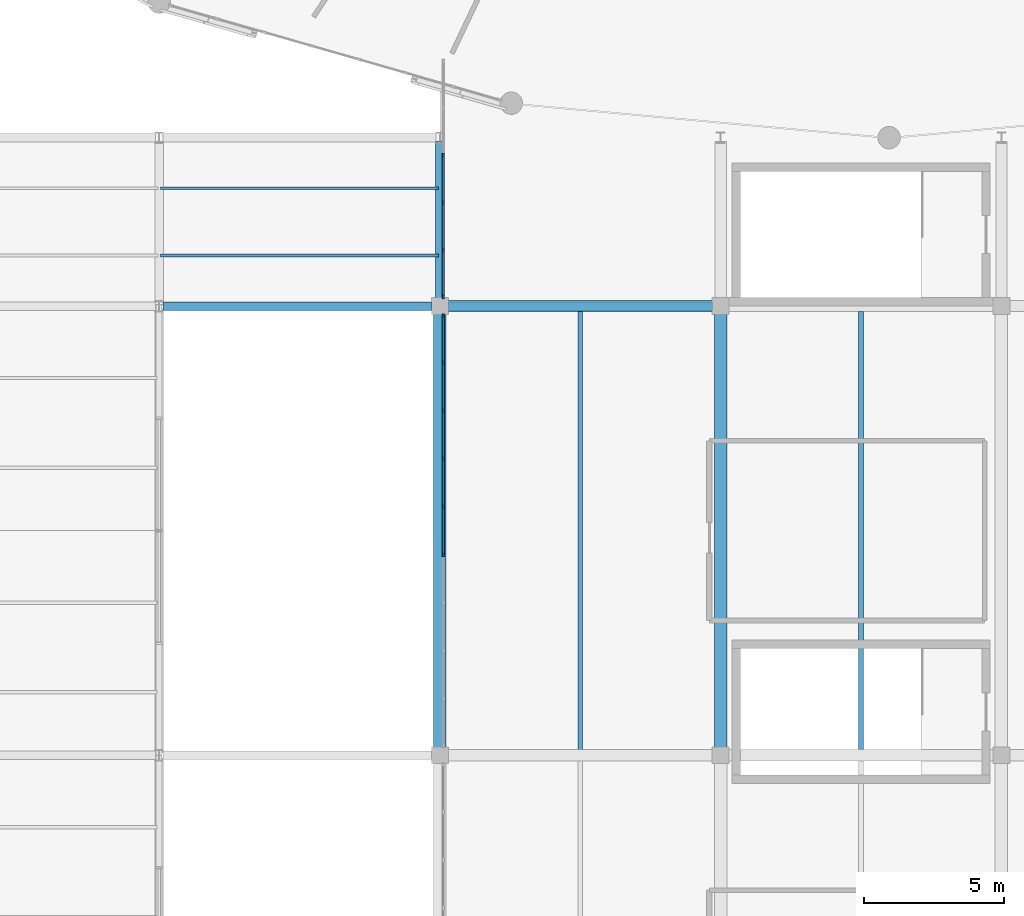
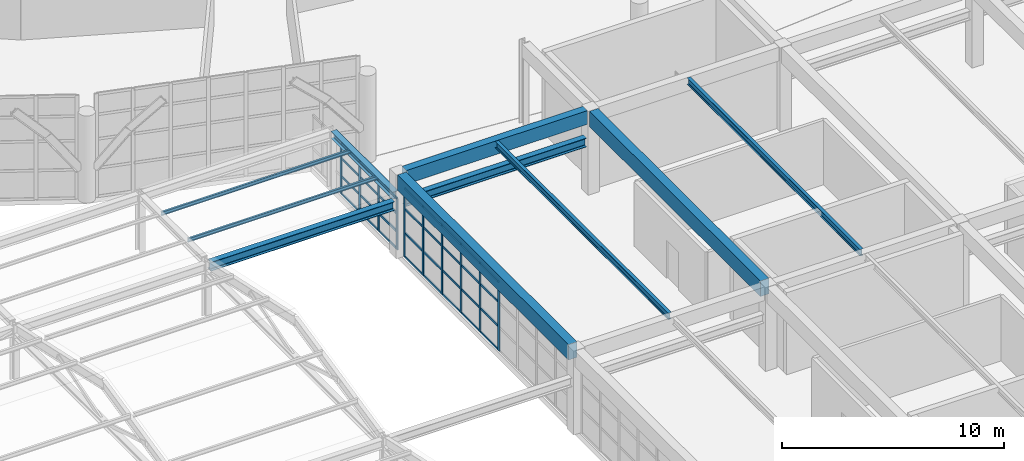
# One storey, part 21 of 109: 44 members, 8 beams, 2 elements without a shape of their own.
"""IFC4 building model written with IfcOpenShell, lengths in metres."""

from ifc_helpers import new_model, si_unit, direction, frame, origin, origin_2d, place, context, subcontext, project, spatial, rectangle, i_section, extrude, material, layer, layer_set, material_profile, profile_set, type_object, element, aggregate, save


model = new_model("IFC4")

# Units and contexts
model_context = context("Model", 3, precision=1e-05, world=origin(), true_north=direction((0.0, 1.0)))
body_context = subcontext(model_context, "Body", "Model", "MODEL_VIEW")
ifc_project = project(units=[si_unit("LENGTHUNIT", "METRE"), si_unit("AREAUNIT", "SQUARE_METRE"), si_unit("VOLUMEUNIT", "CUBIC_METRE"), si_unit("PLANEANGLEUNIT", "RADIAN"), si_unit("MASSUNIT", "GRAM", prefix="KILO")], contexts=[model_context])

# Site, building, storey
site_placement = place(None, origin())
site = spatial("IfcSite", under=ifc_project, at=site_placement, CompositionType="ELEMENT")
building_placement = place(site_placement, origin())
building = spatial("IfcBuilding", under=site, at=building_placement, Name="Kivolera Central Railway Station", CompositionType="ELEMENT")
storey_placement = place(building_placement, frame((0.0, 0.0, 9.60009765625)))
storey = spatial("IfcBuildingStorey", under=building, at=storey_placement, Name="L02", CompositionType="ELEMENT", Elevation=9.60009765625)

# Beams
ifc_material_1 = material(Name="Steel S355", Category="steel")
ifc_material_profile_1 = material_profile(ifc_material_1, i_section(OverallWidth=0.169921875, OverallDepth=0.360107421875, WebThickness=0.008056640625, FlangeThickness=0.0126953125, FilletRadius=0.01806640625, at=origin_2d()), Name="IPE 360")
ifc_profile_set_1 = profile_set([ifc_material_profile_1], Name="Steel S355")
beam_type_1 = type_object("IfcBeamType", Name="BM-JST-IPE360", PredefinedType="JOIST", material=ifc_profile_set_1)
for number, where, z_axis, x_axis, name in (
    (1, (53.0, 32.19189453125, 4.407958984375), (0.0, 1.0, 0.0), (-1.0, 0.0, 0.0), "L02 Over-Track Bridge Joist 5:C-D"),
    (2, (63.0, 32.19189453125, 4.407958984375), (0.0, 1.0, 0.0), (-1.0, 0.0, 0.0), "L02 Over-Track Bridge Joist 6:C-D"),
):
    element("IfcBeam", number, at=place(storey_placement, frame(where, z_axis=z_axis, x_axis=x_axis)), inside=storey, type_object=beam_type_1, Name=name, PredefinedType="JOIST", context=body_context, shape_type="SweptSolid", body=[
        extrude(i_section(OverallWidth=0.169921875, OverallDepth=0.360107421875, WebThickness=0.008056640625, FlangeThickness=0.0126953125, FilletRadius=0.01806640625, at=origin_2d()), origin(), (0.0, 0.0, 1.0), 15.6162109375),
    ])
ifc_material_2 = material(Name="Concrete C40/50", Category="concrete")
ifc_material_profile_2 = material_profile(ifc_material_2, rectangle(XDim=0.39990234375, YDim=0.75, at=origin_2d()), Name="RC 400x750")
ifc_profile_set_2 = profile_set([ifc_material_profile_2], Name="Concrete C40/50")
beam_type_2 = type_object("IfcBeamType", Name="BM-RC-400x750", PredefinedType="BEAM", material=ifc_profile_set_2)
beam_1_placement = place(storey_placement, frame((48.287109375, 48.0, 4.224853515625), z_axis=(1.0, 0.0, 0.0), x_axis=(0.0, 1.0, 0.0)))
element("IfcBeam", 3, at=beam_1_placement, inside=storey, type_object=beam_type_2, Name="L02 Over-Track Bridge Transverse Girder D:5-6", PredefinedType="BEAM", context=body_context, shape_type="SweptSolid", body=[
    extrude(rectangle(XDim=0.39990234375, YDim=0.75, at=origin_2d()), origin(), (0.0, 0.0, 1.0), 9.42578125),
])
ifc_material_profile_3 = material_profile(ifc_material_2, rectangle(XDim=0.449951171875, YDim=0.85009765625, at=origin_2d()), Name="RC 450x850")
ifc_profile_set_3 = profile_set([ifc_material_profile_3], Name="Concrete C40/50")
beam_type_3 = type_object("IfcBeamType", Name="BM-RC-450x850", PredefinedType="BEAM", material=ifc_profile_set_3)
for number, where, z_axis, x_axis, name in (
    (4, (48.0, 32.287109375, 4.1748046875), (0.0, 1.0, 0.0), (-1.0, 0.0, 0.0), "L02 Over-Track Concourse Bridge Girder 5:C-D"),
    (5, (58.0, 32.287109375, 4.1748046875), (0.0, 1.0, 0.0), (-1.0, 0.0, 0.0), "L02 Over-Track Concourse Bridge Girder 6:C-D"),
):
    element("IfcBeam", number, at=place(storey_placement, frame(where, z_axis=z_axis, x_axis=x_axis)), inside=storey, type_object=beam_type_3, Name=name, PredefinedType="BEAM", context=body_context, shape_type="SweptSolid", body=[
        extrude(rectangle(XDim=0.449951171875, YDim=0.85009765625, at=origin_2d()), origin(), (0.0, 0.0, 1.0), 15.42578125),
    ])
ifc_material_profile_4 = material_profile(ifc_material_1, i_section(OverallWidth=0.300048828125, OverallDepth=0.389892578125, WebThickness=0.010986328125, FlangeThickness=0.01904296875, FilletRadius=0.027099609375, at=origin_2d()), Name="HEA 400")
ifc_profile_set_4 = profile_set([ifc_material_profile_4], Name="Steel S355")
beam_type_4 = type_object("IfcBeamType", Name="BM-SHD-HEA400", PredefinedType="BEAM", material=ifc_profile_set_4)
beam_2_placement = place(storey_placement, frame((48.0, 48.294921875, 3.054931640625), z_axis=(0.0, 1.0, 0.0), x_axis=(-1.0, 0.0, 0.0)))
element("IfcBeam", 6, at=beam_2_placement, inside=storey, type_object=beam_type_4, Name="Train Shed Threshold Canopy Rafter DE-5", PredefinedType="BEAM", context=body_context, shape_type="SweptSolid", body=[
    extrude(i_section(OverallWidth=0.300048828125, OverallDepth=0.389892578125, WebThickness=0.010986328125, FlangeThickness=0.01904296875, FilletRadius=0.027099609375, at=origin_2d()), origin(), (0.0, 0.0, 1.0), 5.56298828125),
])
ifc_material_profile_5 = material_profile(ifc_material_1, i_section(OverallWidth=0.300048828125, OverallDepth=0.489990234375, WebThickness=0.011962890625, FlangeThickness=0.02294921875, FilletRadius=0.027099609375, at=origin_2d()), Name="HEA 500")
ifc_profile_set_5 = profile_set([ifc_material_profile_5], Name="Steel S355")
beam_type_5 = type_object("IfcBeamType", Name="BM-SHD-HEA500", PredefinedType="BEAM", material=ifc_profile_set_5)
beam_3_placement = place(storey_placement, frame((38.136962890625, 48.0, 2.81982421875), z_axis=(1.0, 0.0, 0.0), x_axis=(0.0, 1.0, 0.0)))
element("IfcBeam", 7, at=beam_3_placement, inside=storey, type_object=beam_type_5, Name="Train Shed Eave Girder D:4-5", PredefinedType="BEAM", context=body_context, shape_type="SweptSolid", body=[
    extrude(i_section(OverallWidth=0.300048828125, OverallDepth=0.489990234375, WebThickness=0.011962890625, FlangeThickness=0.02294921875, FilletRadius=0.027099609375, at=origin_2d()), origin(), (0.0, 0.0, 1.0), 9.571044921875),
])
beam_4_placement = place(storey_placement, frame((48.2919921875, 48.0, 2.81982421875), z_axis=(1.0, 0.0, 0.0), x_axis=(0.0, 1.0, 0.0)))
element("IfcBeam", 8, at=beam_4_placement, inside=storey, type_object=beam_type_5, Name="Train Shed Eave Girder D:5-6", PredefinedType="BEAM", context=body_context, shape_type="SweptSolid", body=[
    extrude(i_section(OverallWidth=0.300048828125, OverallDepth=0.489990234375, WebThickness=0.011962890625, FlangeThickness=0.02294921875, FilletRadius=0.027099609375, at=origin_2d()), origin(), (0.0, 0.0, 1.0), 9.416015625),
])

# Curtain wall, members
ifc_material_3 = material(Name="Anodised aluminium", Category="aluminium")
ifc_layer_1 = layer(ifc_material_3, 0.179931640625, Name="Anodised aluminium")
ifc_layer_set_1 = layer_set([ifc_layer_1], Name="Anodised aluminium")
curtain_wall_type_1 = type_object("IfcCurtainWallType", Name="CW-SYS-18", PredefinedType="NOTDEFINED", material=ifc_layer_set_1)
curtain_wall_1_placement = place(storey_placement, origin())
curtain_wall_1 = element("IfcCurtainWall", 9, at=curtain_wall_1_placement, inside=storey, type_object=curtain_wall_type_1, Name="L02 Curtain Wall CW-L02-BRGW-3", PredefinedType="NOTDEFINED")
ifc_material_profile_6 = material_profile(ifc_material_3, rectangle(XDim=0.06005859375, YDim=0.14990234375, at=origin_2d()), Name="ALU MULL 60x150")
ifc_profile_set_6 = profile_set([ifc_material_profile_6], Name="Anodised aluminium")
member_type_1 = type_object("IfcMemberType", Name="CWM-MUL-2", PredefinedType="MULLION", material=ifc_profile_set_6)
member_1_placement = place(storey_placement, frame((48.1201171875, 39.1455078125, -0.005126953125), z_axis=(0.0, 0.0, 1.0), x_axis=(-1.0, 0.0, 0.0)))
member_1 = element("IfcMember", 10, at=member_1_placement, type_object=member_type_1, Name="CW-18 mullion 5", PredefinedType="MULLION", context=body_context, shape_type="SweptSolid", body=[
    extrude(rectangle(XDim=0.06005859375, YDim=0.14990234375, at=origin_2d()), origin(), (0.0, 0.0, 1.0), 3.804931640625),
])
member_2_placement = place(storey_placement, frame((48.1201171875, 40.8544921875, -0.005126953125), z_axis=(0.0, 0.0, 1.0), x_axis=(-1.0, 0.0, 0.0)))
member_2 = element("IfcMember", 11, at=member_2_placement, type_object=member_type_1, Name="CW-18 mullion 6", PredefinedType="MULLION", context=body_context, shape_type="SweptSolid", body=[
    extrude(rectangle(XDim=0.06005859375, YDim=0.14990234375, at=origin_2d()), origin(), (0.0, 0.0, 1.0), 3.804931640625),
])
member_3_placement = place(storey_placement, frame((48.1201171875, 42.563232421875, -0.005126953125), z_axis=(0.0, 0.0, 1.0), x_axis=(-1.0, 0.0, 0.0)))
member_3 = element("IfcMember", 12, at=member_3_placement, type_object=member_type_1, Name="CW-18 mullion 7", PredefinedType="MULLION", context=body_context, shape_type="SweptSolid", body=[
    extrude(rectangle(XDim=0.06005859375, YDim=0.14990234375, at=origin_2d()), origin(), (0.0, 0.0, 1.0), 3.804931640625),
])
member_4_placement = place(storey_placement, frame((48.1201171875, 44.272216796875, -0.005126953125), z_axis=(0.0, 0.0, 1.0), x_axis=(-1.0, 0.0, 0.0)))
member_4 = element("IfcMember", 13, at=member_4_placement, type_object=member_type_1, Name="CW-18 mullion 8", PredefinedType="MULLION", context=body_context, shape_type="SweptSolid", body=[
    extrude(rectangle(XDim=0.06005859375, YDim=0.14990234375, at=origin_2d()), origin(), (0.0, 0.0, 1.0), 3.804931640625),
])
member_5_placement = place(storey_placement, frame((48.1201171875, 45.981201171875, -0.005126953125), z_axis=(0.0, 0.0, 1.0), x_axis=(-1.0, 0.0, 0.0)))
member_5 = element("IfcMember", 14, at=member_5_placement, type_object=member_type_1, Name="CW-18 mullion 9", PredefinedType="MULLION", context=body_context, shape_type="SweptSolid", body=[
    extrude(rectangle(XDim=0.06005859375, YDim=0.14990234375, at=origin_2d()), origin(), (0.0, 0.0, 1.0), 3.804931640625),
])
member_6_placement = place(storey_placement, frame((48.1201171875, 47.659912109375, -0.005126953125), z_axis=(0.0, 0.0, 1.0), x_axis=(-1.0, 0.0, 0.0)))
member_6 = element("IfcMember", 15, at=member_6_placement, type_object=member_type_1, Name="CW-18 mullion 10", PredefinedType="MULLION", context=body_context, shape_type="SweptSolid", body=[
    extrude(rectangle(XDim=0.06005859375, YDim=0.14990234375, at=origin_2d()), origin(), (0.0, 0.0, 1.0), 3.804931640625),
])

ifc_layer_2 = layer(ifc_material_3, 0.179931640625, Name="Anodised aluminium")
ifc_layer_set_2 = layer_set([ifc_layer_2], Name="Anodised aluminium")
curtain_wall_type_2 = type_object("IfcCurtainWallType", Name="CW-SYS-19", PredefinedType="NOTDEFINED", material=ifc_layer_set_2)
curtain_wall_2_placement = place(storey_placement, origin())
curtain_wall_2 = element("IfcCurtainWall", 16, at=curtain_wall_2_placement, inside=storey, type_object=curtain_wall_type_2, Name="L02 Curtain Wall CW-L02-BRGW-4", PredefinedType="NOTDEFINED")
member_7_placement = place(storey_placement, frame((48.1201171875, 48.340087890625, -0.005126953125), z_axis=(0.0, 0.0, 1.0), x_axis=(-1.0, 0.0, 0.0)))
member_7 = element("IfcMember", 17, at=member_7_placement, type_object=member_type_1, Name="CW-19 mullion 1", PredefinedType="MULLION", context=body_context, shape_type="SweptSolid", body=[
    extrude(rectangle(XDim=0.06005859375, YDim=0.14990234375, at=origin_2d()), origin(), (0.0, 0.0, 1.0), 2.824951171875),
])
member_8_placement = place(storey_placement, frame((48.1201171875, 49.998046875, -0.005126953125), z_axis=(0.0, 0.0, 1.0), x_axis=(-1.0, 0.0, 0.0)))
member_8 = element("IfcMember", 18, at=member_8_placement, type_object=member_type_1, Name="CW-19 mullion 2", PredefinedType="MULLION", context=body_context, shape_type="SweptSolid", body=[
    extrude(rectangle(XDim=0.06005859375, YDim=0.14990234375, at=origin_2d()), origin(), (0.0, 0.0, 1.0), 2.824951171875),
])
member_9_placement = place(storey_placement, frame((48.1201171875, 51.68603515625, -0.005126953125), z_axis=(0.0, 0.0, 1.0), x_axis=(-1.0, 0.0, 0.0)))
member_9 = element("IfcMember", 19, at=member_9_placement, type_object=member_type_1, Name="CW-19 mullion 3", PredefinedType="MULLION", context=body_context, shape_type="SweptSolid", body=[
    extrude(rectangle(XDim=0.06005859375, YDim=0.14990234375, at=origin_2d()), origin(), (0.0, 0.0, 1.0), 2.824951171875),
])
member_10_placement = place(storey_placement, frame((48.1201171875, 53.3740234375, -0.005126953125), z_axis=(0.0, 0.0, 1.0), x_axis=(-1.0, 0.0, 0.0)))
member_10 = element("IfcMember", 20, at=member_10_placement, type_object=member_type_1, Name="CW-19 mullion 4", PredefinedType="MULLION", context=body_context, shape_type="SweptSolid", body=[
    extrude(rectangle(XDim=0.06005859375, YDim=0.14990234375, at=origin_2d()), origin(), (0.0, 0.0, 1.0), 2.824951171875),
])

# Member
ifc_material_profile_7 = material_profile(ifc_material_3, rectangle(XDim=0.06005859375, YDim=0.1201171875, at=origin_2d()), Name="ALU TRAN 60x120")
ifc_profile_set_7 = profile_set([ifc_material_profile_7], Name="Anodised aluminium")
member_type_2 = type_object("IfcMemberType", Name="CWM-TRN-2", PredefinedType="USERDEFINED", material=ifc_profile_set_7)
member_11_placement = place(storey_placement, frame((48.1201171875, 39.175537109375, 0.02978515625), z_axis=(0.0, 1.0, 0.0), x_axis=(-1.0, 0.0, 0.0)))
member_11 = element("IfcMember", 21, at=member_11_placement, type_object=member_type_2, Name="CW-18 transom 5.1", ObjectType="TRANSOM", PredefinedType="USERDEFINED", context=body_context, shape_type="SweptSolid", body=[
    extrude(rectangle(XDim=0.06005859375, YDim=0.1201171875, at=origin_2d()), origin(), (0.0, 0.0, 1.0), 1.64892578125),
])

member_12_placement = place(storey_placement, frame((48.1201171875, 39.175537109375, 1.329833984375), z_axis=(0.0, 1.0, 0.0), x_axis=(-1.0, 0.0, 0.0)))
member_12 = element("IfcMember", 22, at=member_12_placement, type_object=member_type_2, Name="CW-18 transom 5.2", ObjectType="TRANSOM", PredefinedType="USERDEFINED", context=body_context, shape_type="SweptSolid", body=[
    extrude(rectangle(XDim=0.06005859375, YDim=0.1201171875, at=origin_2d()), origin(), (0.0, 0.0, 1.0), 1.64892578125),
])

member_13_placement = place(storey_placement, frame((48.1201171875, 39.175537109375, 2.659912109375), z_axis=(0.0, 1.0, 0.0), x_axis=(-1.0, 0.0, 0.0)))
member_13 = element("IfcMember", 23, at=member_13_placement, type_object=member_type_2, Name="CW-18 transom 5.3", ObjectType="TRANSOM", PredefinedType="USERDEFINED", context=body_context, shape_type="SweptSolid", body=[
    extrude(rectangle(XDim=0.06005859375, YDim=0.1201171875, at=origin_2d()), origin(), (0.0, 0.0, 1.0), 1.64892578125),
])

member_14_placement = place(storey_placement, frame((48.1201171875, 39.175537109375, 3.77001953125), z_axis=(0.0, 1.0, 0.0), x_axis=(-1.0, 0.0, 0.0)))
member_14 = element("IfcMember", 24, at=member_14_placement, type_object=member_type_2, Name="CW-18 transom 5.4", ObjectType="TRANSOM", PredefinedType="USERDEFINED", context=body_context, shape_type="SweptSolid", body=[
    extrude(rectangle(XDim=0.06005859375, YDim=0.1201171875, at=origin_2d()), origin(), (0.0, 0.0, 1.0), 1.64892578125),
])

member_15_placement = place(storey_placement, frame((48.1201171875, 40.884521484375, 0.02978515625), z_axis=(0.0, 1.0, 0.0), x_axis=(-1.0, 0.0, 0.0)))
member_15 = element("IfcMember", 25, at=member_15_placement, type_object=member_type_2, Name="CW-18 transom 6.1", ObjectType="TRANSOM", PredefinedType="USERDEFINED", context=body_context, shape_type="SweptSolid", body=[
    extrude(rectangle(XDim=0.06005859375, YDim=0.1201171875, at=origin_2d()), origin(), (0.0, 0.0, 1.0), 1.64892578125),
])

member_16_placement = place(storey_placement, frame((48.1201171875, 40.884521484375, 1.329833984375), z_axis=(0.0, 1.0, 0.0), x_axis=(-1.0, 0.0, 0.0)))
member_16 = element("IfcMember", 26, at=member_16_placement, type_object=member_type_2, Name="CW-18 transom 6.2", ObjectType="TRANSOM", PredefinedType="USERDEFINED", context=body_context, shape_type="SweptSolid", body=[
    extrude(rectangle(XDim=0.06005859375, YDim=0.1201171875, at=origin_2d()), origin(), (0.0, 0.0, 1.0), 1.64892578125),
])

member_17_placement = place(storey_placement, frame((48.1201171875, 40.884521484375, 2.659912109375), z_axis=(0.0, 1.0, 0.0), x_axis=(-1.0, 0.0, 0.0)))
member_17 = element("IfcMember", 27, at=member_17_placement, type_object=member_type_2, Name="CW-18 transom 6.3", ObjectType="TRANSOM", PredefinedType="USERDEFINED", context=body_context, shape_type="SweptSolid", body=[
    extrude(rectangle(XDim=0.06005859375, YDim=0.1201171875, at=origin_2d()), origin(), (0.0, 0.0, 1.0), 1.64892578125),
])

member_18_placement = place(storey_placement, frame((48.1201171875, 40.884521484375, 3.77001953125), z_axis=(0.0, 1.0, 0.0), x_axis=(-1.0, 0.0, 0.0)))
member_18 = element("IfcMember", 28, at=member_18_placement, type_object=member_type_2, Name="CW-18 transom 6.4", ObjectType="TRANSOM", PredefinedType="USERDEFINED", context=body_context, shape_type="SweptSolid", body=[
    extrude(rectangle(XDim=0.06005859375, YDim=0.1201171875, at=origin_2d()), origin(), (0.0, 0.0, 1.0), 1.64892578125),
])

member_19_placement = place(storey_placement, frame((48.1201171875, 42.59326171875, 0.02978515625), z_axis=(0.0, 1.0, 0.0), x_axis=(-1.0, 0.0, 0.0)))
member_19 = element("IfcMember", 29, at=member_19_placement, type_object=member_type_2, Name="CW-18 transom 7.1", ObjectType="TRANSOM", PredefinedType="USERDEFINED", context=body_context, shape_type="SweptSolid", body=[
    extrude(rectangle(XDim=0.06005859375, YDim=0.1201171875, at=origin_2d()), origin(), (0.0, 0.0, 1.0), 1.64892578125),
])

member_20_placement = place(storey_placement, frame((48.1201171875, 42.59326171875, 1.329833984375), z_axis=(0.0, 1.0, 0.0), x_axis=(-1.0, 0.0, 0.0)))
member_20 = element("IfcMember", 30, at=member_20_placement, type_object=member_type_2, Name="CW-18 transom 7.2", ObjectType="TRANSOM", PredefinedType="USERDEFINED", context=body_context, shape_type="SweptSolid", body=[
    extrude(rectangle(XDim=0.06005859375, YDim=0.1201171875, at=origin_2d()), origin(), (0.0, 0.0, 1.0), 1.64892578125),
])

member_21_placement = place(storey_placement, frame((48.1201171875, 42.59326171875, 2.659912109375), z_axis=(0.0, 1.0, 0.0), x_axis=(-1.0, 0.0, 0.0)))
member_21 = element("IfcMember", 31, at=member_21_placement, type_object=member_type_2, Name="CW-18 transom 7.3", ObjectType="TRANSOM", PredefinedType="USERDEFINED", context=body_context, shape_type="SweptSolid", body=[
    extrude(rectangle(XDim=0.06005859375, YDim=0.1201171875, at=origin_2d()), origin(), (0.0, 0.0, 1.0), 1.64892578125),
])

member_22_placement = place(storey_placement, frame((48.1201171875, 42.59326171875, 3.77001953125), z_axis=(0.0, 1.0, 0.0), x_axis=(-1.0, 0.0, 0.0)))
member_22 = element("IfcMember", 32, at=member_22_placement, type_object=member_type_2, Name="CW-18 transom 7.4", ObjectType="TRANSOM", PredefinedType="USERDEFINED", context=body_context, shape_type="SweptSolid", body=[
    extrude(rectangle(XDim=0.06005859375, YDim=0.1201171875, at=origin_2d()), origin(), (0.0, 0.0, 1.0), 1.64892578125),
])

member_23_placement = place(storey_placement, frame((48.1201171875, 44.30224609375, 0.02978515625), z_axis=(0.0, 1.0, 0.0), x_axis=(-1.0, 0.0, 0.0)))
member_23 = element("IfcMember", 33, at=member_23_placement, type_object=member_type_2, Name="CW-18 transom 8.1", ObjectType="TRANSOM", PredefinedType="USERDEFINED", context=body_context, shape_type="SweptSolid", body=[
    extrude(rectangle(XDim=0.06005859375, YDim=0.1201171875, at=origin_2d()), origin(), (0.0, 0.0, 1.0), 1.64892578125),
])

member_24_placement = place(storey_placement, frame((48.1201171875, 44.30224609375, 1.329833984375), z_axis=(0.0, 1.0, 0.0), x_axis=(-1.0, 0.0, 0.0)))
member_24 = element("IfcMember", 34, at=member_24_placement, type_object=member_type_2, Name="CW-18 transom 8.2", ObjectType="TRANSOM", PredefinedType="USERDEFINED", context=body_context, shape_type="SweptSolid", body=[
    extrude(rectangle(XDim=0.06005859375, YDim=0.1201171875, at=origin_2d()), origin(), (0.0, 0.0, 1.0), 1.64892578125),
])

member_25_placement = place(storey_placement, frame((48.1201171875, 44.30224609375, 2.659912109375), z_axis=(0.0, 1.0, 0.0), x_axis=(-1.0, 0.0, 0.0)))
member_25 = element("IfcMember", 35, at=member_25_placement, type_object=member_type_2, Name="CW-18 transom 8.3", ObjectType="TRANSOM", PredefinedType="USERDEFINED", context=body_context, shape_type="SweptSolid", body=[
    extrude(rectangle(XDim=0.06005859375, YDim=0.1201171875, at=origin_2d()), origin(), (0.0, 0.0, 1.0), 1.64892578125),
])

member_26_placement = place(storey_placement, frame((48.1201171875, 44.30224609375, 3.77001953125), z_axis=(0.0, 1.0, 0.0), x_axis=(-1.0, 0.0, 0.0)))
member_26 = element("IfcMember", 36, at=member_26_placement, type_object=member_type_2, Name="CW-18 transom 8.4", ObjectType="TRANSOM", PredefinedType="USERDEFINED", context=body_context, shape_type="SweptSolid", body=[
    extrude(rectangle(XDim=0.06005859375, YDim=0.1201171875, at=origin_2d()), origin(), (0.0, 0.0, 1.0), 1.64892578125),
])

member_27_placement = place(storey_placement, frame((48.1201171875, 46.01123046875, 0.02978515625), z_axis=(0.0, 1.0, 0.0), x_axis=(-1.0, 0.0, 0.0)))
member_27 = element("IfcMember", 37, at=member_27_placement, type_object=member_type_2, Name="CW-18 transom 9.1", ObjectType="TRANSOM", PredefinedType="USERDEFINED", context=body_context, shape_type="SweptSolid", body=[
    extrude(rectangle(XDim=0.06005859375, YDim=0.1201171875, at=origin_2d()), origin(), (0.0, 0.0, 1.0), 1.61865234375),
])

member_28_placement = place(storey_placement, frame((48.1201171875, 46.01123046875, 1.329833984375), z_axis=(0.0, 1.0, 0.0), x_axis=(-1.0, 0.0, 0.0)))
member_28 = element("IfcMember", 38, at=member_28_placement, type_object=member_type_2, Name="CW-18 transom 9.2", ObjectType="TRANSOM", PredefinedType="USERDEFINED", context=body_context, shape_type="SweptSolid", body=[
    extrude(rectangle(XDim=0.06005859375, YDim=0.1201171875, at=origin_2d()), origin(), (0.0, 0.0, 1.0), 1.61865234375),
])

member_29_placement = place(storey_placement, frame((48.1201171875, 46.01123046875, 2.659912109375), z_axis=(0.0, 1.0, 0.0), x_axis=(-1.0, 0.0, 0.0)))
member_29 = element("IfcMember", 39, at=member_29_placement, type_object=member_type_2, Name="CW-18 transom 9.3", ObjectType="TRANSOM", PredefinedType="USERDEFINED", context=body_context, shape_type="SweptSolid", body=[
    extrude(rectangle(XDim=0.06005859375, YDim=0.1201171875, at=origin_2d()), origin(), (0.0, 0.0, 1.0), 1.61865234375),
])

member_30_placement = place(storey_placement, frame((48.1201171875, 46.01123046875, 3.77001953125), z_axis=(0.0, 1.0, 0.0), x_axis=(-1.0, 0.0, 0.0)))
member_30 = element("IfcMember", 40, at=member_30_placement, type_object=member_type_2, Name="CW-18 transom 9.4", ObjectType="TRANSOM", PredefinedType="USERDEFINED", context=body_context, shape_type="SweptSolid", body=[
    extrude(rectangle(XDim=0.06005859375, YDim=0.1201171875, at=origin_2d()), origin(), (0.0, 0.0, 1.0), 1.61865234375),
])

aggregate(curtain_wall_1, [member_1, member_2, member_3, member_4, member_5, member_6, member_11, member_12, member_13, member_14, member_15, member_16, member_17, member_18, member_19, member_20, member_21, member_22, member_23, member_24, member_25, member_26, member_27, member_28, member_29, member_30])

member_31_placement = place(storey_placement, frame((48.1201171875, 48.3701171875, 0.02978515625), z_axis=(0.0, 1.0, 0.0), x_axis=(-1.0, 0.0, 0.0)))
member_31 = element("IfcMember", 41, at=member_31_placement, type_object=member_type_2, Name="CW-19 transom 1.1", ObjectType="TRANSOM", PredefinedType="USERDEFINED", context=body_context, shape_type="SweptSolid", body=[
    extrude(rectangle(XDim=0.06005859375, YDim=0.1201171875, at=origin_2d()), origin(), (0.0, 0.0, 1.0), 1.597900390625),
])

member_32_placement = place(storey_placement, frame((48.1201171875, 48.3701171875, 0.98681640625), z_axis=(0.0, 1.0, 0.0), x_axis=(-1.0, 0.0, 0.0)))
member_32 = element("IfcMember", 42, at=member_32_placement, type_object=member_type_2, Name="CW-19 transom 1.2", ObjectType="TRANSOM", PredefinedType="USERDEFINED", context=body_context, shape_type="SweptSolid", body=[
    extrude(rectangle(XDim=0.06005859375, YDim=0.1201171875, at=origin_2d()), origin(), (0.0, 0.0, 1.0), 1.597900390625),
])

member_33_placement = place(storey_placement, frame((48.1201171875, 48.3701171875, 1.973876953125), z_axis=(0.0, 1.0, 0.0), x_axis=(-1.0, 0.0, 0.0)))
member_33 = element("IfcMember", 43, at=member_33_placement, type_object=member_type_2, Name="CW-19 transom 1.3", ObjectType="TRANSOM", PredefinedType="USERDEFINED", context=body_context, shape_type="SweptSolid", body=[
    extrude(rectangle(XDim=0.06005859375, YDim=0.1201171875, at=origin_2d()), origin(), (0.0, 0.0, 1.0), 1.597900390625),
])

member_34_placement = place(storey_placement, frame((48.1201171875, 48.3701171875, 2.789794921875), z_axis=(0.0, 1.0, 0.0), x_axis=(-1.0, 0.0, 0.0)))
member_34 = element("IfcMember", 44, at=member_34_placement, type_object=member_type_2, Name="CW-19 transom 1.4", ObjectType="TRANSOM", PredefinedType="USERDEFINED", context=body_context, shape_type="SweptSolid", body=[
    extrude(rectangle(XDim=0.06005859375, YDim=0.1201171875, at=origin_2d()), origin(), (0.0, 0.0, 1.0), 1.597900390625),
])

member_35_placement = place(storey_placement, frame((48.1201171875, 50.028076171875, 0.02978515625), z_axis=(0.0, 1.0, 0.0), x_axis=(-1.0, 0.0, 0.0)))
member_35 = element("IfcMember", 45, at=member_35_placement, type_object=member_type_2, Name="CW-19 transom 2.1", ObjectType="TRANSOM", PredefinedType="USERDEFINED", context=body_context, shape_type="SweptSolid", body=[
    extrude(rectangle(XDim=0.06005859375, YDim=0.1201171875, at=origin_2d()), origin(), (0.0, 0.0, 1.0), 1.6279296875),
])

member_36_placement = place(storey_placement, frame((48.1201171875, 50.028076171875, 0.98681640625), z_axis=(0.0, 1.0, 0.0), x_axis=(-1.0, 0.0, 0.0)))
member_36 = element("IfcMember", 46, at=member_36_placement, type_object=member_type_2, Name="CW-19 transom 2.2", ObjectType="TRANSOM", PredefinedType="USERDEFINED", context=body_context, shape_type="SweptSolid", body=[
    extrude(rectangle(XDim=0.06005859375, YDim=0.1201171875, at=origin_2d()), origin(), (0.0, 0.0, 1.0), 1.6279296875),
])

member_37_placement = place(storey_placement, frame((48.1201171875, 50.028076171875, 1.973876953125), z_axis=(0.0, 1.0, 0.0), x_axis=(-1.0, 0.0, 0.0)))
member_37 = element("IfcMember", 47, at=member_37_placement, type_object=member_type_2, Name="CW-19 transom 2.3", ObjectType="TRANSOM", PredefinedType="USERDEFINED", context=body_context, shape_type="SweptSolid", body=[
    extrude(rectangle(XDim=0.06005859375, YDim=0.1201171875, at=origin_2d()), origin(), (0.0, 0.0, 1.0), 1.6279296875),
])

member_38_placement = place(storey_placement, frame((48.1201171875, 50.028076171875, 2.789794921875), z_axis=(0.0, 1.0, 0.0), x_axis=(-1.0, 0.0, 0.0)))
member_38 = element("IfcMember", 48, at=member_38_placement, type_object=member_type_2, Name="CW-19 transom 2.4", ObjectType="TRANSOM", PredefinedType="USERDEFINED", context=body_context, shape_type="SweptSolid", body=[
    extrude(rectangle(XDim=0.06005859375, YDim=0.1201171875, at=origin_2d()), origin(), (0.0, 0.0, 1.0), 1.6279296875),
])

member_39_placement = place(storey_placement, frame((48.1201171875, 51.716064453125, 0.02978515625), z_axis=(0.0, 1.0, 0.0), x_axis=(-1.0, 0.0, 0.0)))
member_39 = element("IfcMember", 49, at=member_39_placement, type_object=member_type_2, Name="CW-19 transom 3.1", ObjectType="TRANSOM", PredefinedType="USERDEFINED", context=body_context, shape_type="SweptSolid", body=[
    extrude(rectangle(XDim=0.06005859375, YDim=0.1201171875, at=origin_2d()), origin(), (0.0, 0.0, 1.0), 1.6279296875),
])

member_40_placement = place(storey_placement, frame((48.1201171875, 51.716064453125, 0.98681640625), z_axis=(0.0, 1.0, 0.0), x_axis=(-1.0, 0.0, 0.0)))
member_40 = element("IfcMember", 50, at=member_40_placement, type_object=member_type_2, Name="CW-19 transom 3.2", ObjectType="TRANSOM", PredefinedType="USERDEFINED", context=body_context, shape_type="SweptSolid", body=[
    extrude(rectangle(XDim=0.06005859375, YDim=0.1201171875, at=origin_2d()), origin(), (0.0, 0.0, 1.0), 1.6279296875),
])

member_41_placement = place(storey_placement, frame((48.1201171875, 51.716064453125, 1.973876953125), z_axis=(0.0, 1.0, 0.0), x_axis=(-1.0, 0.0, 0.0)))
member_41 = element("IfcMember", 51, at=member_41_placement, type_object=member_type_2, Name="CW-19 transom 3.3", ObjectType="TRANSOM", PredefinedType="USERDEFINED", context=body_context, shape_type="SweptSolid", body=[
    extrude(rectangle(XDim=0.06005859375, YDim=0.1201171875, at=origin_2d()), origin(), (0.0, 0.0, 1.0), 1.6279296875),
])

member_42_placement = place(storey_placement, frame((48.1201171875, 51.716064453125, 2.789794921875), z_axis=(0.0, 1.0, 0.0), x_axis=(-1.0, 0.0, 0.0)))
member_42 = element("IfcMember", 52, at=member_42_placement, type_object=member_type_2, Name="CW-19 transom 3.4", ObjectType="TRANSOM", PredefinedType="USERDEFINED", context=body_context, shape_type="SweptSolid", body=[
    extrude(rectangle(XDim=0.06005859375, YDim=0.1201171875, at=origin_2d()), origin(), (0.0, 0.0, 1.0), 1.6279296875),
])

aggregate(curtain_wall_2, [member_7, member_8, member_9, member_10, member_31, member_32, member_33, member_34, member_35, member_36, member_37, member_38, member_39, member_40, member_41, member_42])

# Members
ifc_material_profile_8 = material_profile(ifc_material_1, i_section(OverallWidth=0.10009765625, OverallDepth=0.199951171875, WebThickness=0.005615234375, FlangeThickness=0.008544921875, FilletRadius=0.011962890625, at=origin_2d()), Name="IPE 200")
ifc_profile_set_8 = profile_set([ifc_material_profile_8], Name="Steel S355")
member_type_3 = type_object("IfcMemberType", Name="MEM-PUR-IPE200", PredefinedType="PURLIN", material=ifc_profile_set_8)
for number, where, z_axis, x_axis, name in (
    (53, (38.050048828125, 49.800048828125, 3.14794921875), (1.0, 0.0, 0.0), (0.0, 1.0, 0.0), "Train Shed Threshold Purlin DE-04-1"),
    (54, (38.050048828125, 52.199951171875, 3.14794921875), (1.0, 0.0, 0.0), (0.0, 1.0, 0.0), "Train Shed Threshold Purlin DE-04-2"),
):
    element("IfcMember", number, at=place(storey_placement, frame(where, z_axis=z_axis, x_axis=x_axis)), inside=storey, type_object=member_type_3, Name=name, PredefinedType="PURLIN", context=body_context, shape_type="SweptSolid", body=[
        extrude(i_section(OverallWidth=0.10009765625, OverallDepth=0.199951171875, WebThickness=0.005615234375, FlangeThickness=0.008544921875, FilletRadius=0.011962890625, at=origin_2d()), origin(), (0.0, 0.0, 1.0), 9.89990234375),
    ])

save(model, "model.ifc")
